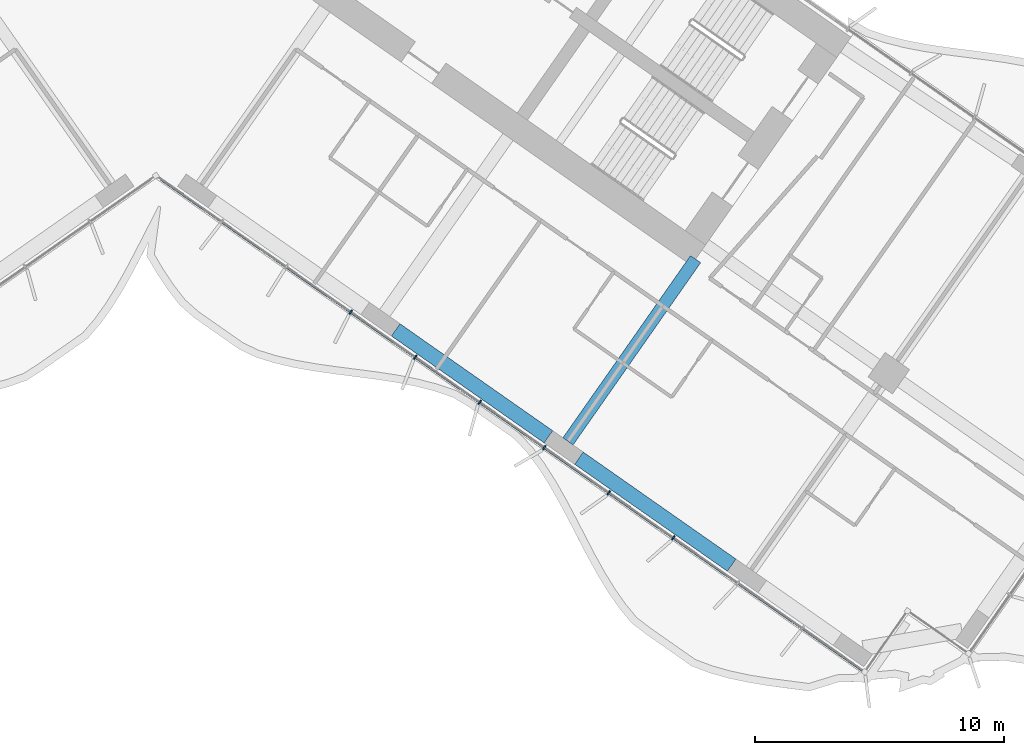
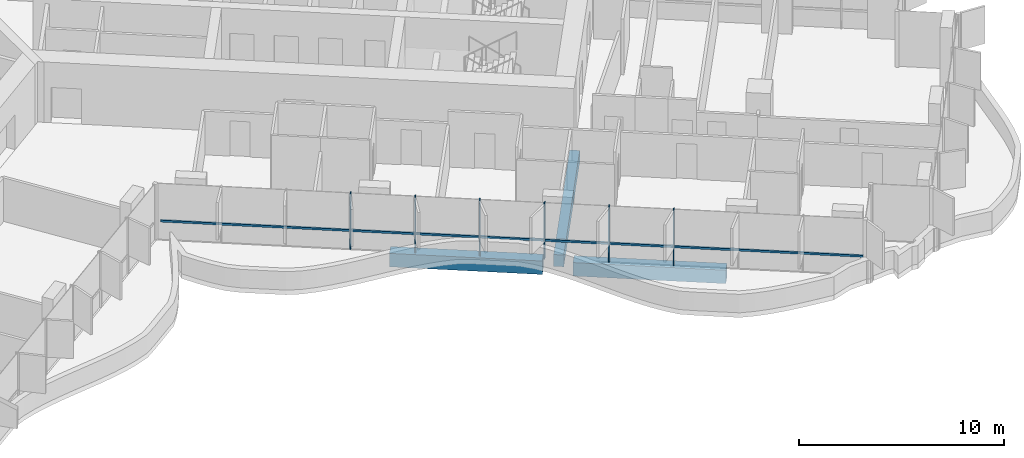
# One storey, part 5 of 23: 7 members, 3 beams, 1 element without a shape of its own.
"""IFC4 building model written with IfcOpenShell, lengths in metres."""

from ifc_helpers import new_model, si_unit, direction, frame, origin, origin_2d, place, context, subcontext, project, spatial, rectangle, extrude, material, material_profile, profile_set, type_object, element, aggregate, save


model = new_model("IFC4")

# Units and contexts
model_context = context("Model", 3, precision=1e-05, world=origin(), true_north=direction((0.0, 1.0)))
body_context = subcontext(model_context, "Body", "Model", "MODEL_VIEW")
ifc_project = project(units=[si_unit("LENGTHUNIT", "METRE"), si_unit("AREAUNIT", "SQUARE_METRE"), si_unit("VOLUMEUNIT", "CUBIC_METRE"), si_unit("PLANEANGLEUNIT", "RADIAN"), si_unit("MASSUNIT", "GRAM", prefix="KILO")], contexts=[model_context])

# Site, building, storey
site_placement = place(None, origin())
site = spatial("IfcSite", under=ifc_project, at=site_placement, CompositionType="ELEMENT")
building_placement = place(site_placement, origin())
building = spatial("IfcBuilding", under=site, at=building_placement, Name="Tel Ilan Convention Tower", CompositionType="ELEMENT")
storey_placement = place(building_placement, frame((0.0, 0.0, 104.89990234375)))
storey = spatial("IfcBuildingStorey", under=building, at=storey_placement, Name="L22", CompositionType="ELEMENT", Elevation=104.89990234375)

# Beams
ifc_material_1 = material(Name="Concrete C40/50", Category="concrete")
ifc_material_profile_1 = material_profile(ifc_material_1, rectangle(XDim=0.5, YDim=0.699951171875, at=origin_2d()), Name="RC 500x700")
ifc_profile_set_1 = profile_set([ifc_material_profile_1], Name="Concrete C40/50")
beam_type_1 = type_object("IfcBeamType", Name="Beam RC 500x700 Concrete C40/50", PredefinedType="BEAM", material=ifc_profile_set_1)
beam_placement = place(storey_placement, frame((16.58203125, -23.391357421875, -0.6298828125), z_axis=(0.573584999642, 0.819146048141, 0.0), x_axis=(-0.819146048141, 0.573584999642, 0.0)))
element("IfcBeam", 1, at=beam_placement, inside=storey, type_object=beam_type_1, Name="L22 beam E-E-F3-core", PredefinedType="BEAM", context=body_context, shape_type="SweptSolid", body=[
    extrude(rectangle(XDim=0.5, YDim=0.699951171875, at=origin_2d()), origin(), (0.0, 0.0, 1.0), 8.949951171875),
])
ifc_material_2 = material(Name="Concrete C40/50", Category="concrete")
ifc_material_profile_2 = material_profile(ifc_material_2, rectangle(XDim=0.60009765625, YDim=0.800048828125, at=origin_2d()), Name="RC 600x800")
ifc_profile_set_2 = profile_set([ifc_material_profile_2], Name="Concrete C40/50")
beam_type_2 = type_object("IfcBeamType", Name="Beam RC 600x800 Concrete C40/50", PredefinedType="BEAM", material=ifc_profile_set_2)
for number, where, z_axis, x_axis, name in (
    (2, (9.652099609375, -18.905029296875, -0.679931640625), (0.81915238829, -0.573575945067, 0.0), (0.573575945067, 0.81915238829, 0.0), "L22 beam E-E-F2-E-F3"),
    (3, (17.0244140625, -24.0673828125, -0.679931640625), (0.81915238829, -0.573575945067, 0.0), (0.573575945067, 0.81915238829, 0.0), "L22 beam E-E-F3-E-F4"),
):
    element("IfcBeam", number, at=place(storey_placement, frame(where, z_axis=z_axis, x_axis=x_axis)), inside=storey, type_object=beam_type_2, Name=name, PredefinedType="BEAM", context=body_context, shape_type="SweptSolid", body=[
        extrude(rectangle(XDim=0.60009765625, YDim=0.800048828125, at=origin_2d()), origin(), (0.0, 0.0, 1.0), 7.5),
    ])

# Curtain wall, members
ifc_material_3 = material(Name="Aluminium, bronze anodised", Category="aluminium")
curtain_wall_type = type_object("IfcCurtainWallType", Name="CW1 UNITISED CURTAIN WALL, HOTEL TINTED GLASS", PredefinedType="NOTDEFINED", material=ifc_material_3)
curtain_wall_placement = place(storey_placement, origin())
curtain_wall = element("IfcCurtainWall", 4, at=curtain_wall_placement, inside=storey, type_object=curtain_wall_type, Name="Curtain wall CW1-19.02", PredefinedType="NOTDEFINED")
ifc_material_4 = material(Name="Aluminium, bronze anodised", Category="aluminium")
ifc_material_profile_3 = material_profile(ifc_material_4, rectangle(XDim=0.06005859375, YDim=0.199951171875, at=origin_2d()), Name="CW MULLION 60x200")
ifc_profile_set_3 = profile_set([ifc_material_profile_3], Name="Aluminium, bronze anodised")
member_type_1 = type_object("IfcMemberType", Name="CW MULLION 60x200", PredefinedType="MULLION", material=ifc_profile_set_3)
member_1_placement = place(storey_placement, frame((7.842529296875, -18.1875, 0.0), z_axis=(0.0, 0.0, 1.0), x_axis=(0.819152044289, -0.573576436351, 0.0)))
member_1 = element("IfcMember", 5, at=member_1_placement, type_object=member_type_1, Name="Mullion", PredefinedType="MULLION", context=body_context, shape_type="SweptSolid", body=[
    extrude(rectangle(XDim=0.06005859375, YDim=0.199951171875, at=origin_2d()), origin(), (0.0, 0.0, 1.0), 3.320068359375),
])
member_2_placement = place(storey_placement, frame((10.4375, -20.004638671875, 0.0), z_axis=(0.0, 0.0, 1.0), x_axis=(0.819152044289, -0.573576436351, 0.0)))
member_2 = element("IfcMember", 6, at=member_2_placement, type_object=member_type_1, Name="Mullion", PredefinedType="MULLION", context=body_context, shape_type="SweptSolid", body=[
    extrude(rectangle(XDim=0.06005859375, YDim=0.199951171875, at=origin_2d()), origin(), (0.0, 0.0, 1.0), 3.320068359375),
])
member_3_placement = place(storey_placement, frame((13.03271484375, -21.821533203125, 0.0), z_axis=(0.0, 0.0, 1.0), x_axis=(0.819152044289, -0.573576436351, 0.0)))
member_3 = element("IfcMember", 7, at=member_3_placement, type_object=member_type_1, Name="Mullion", PredefinedType="MULLION", context=body_context, shape_type="SweptSolid", body=[
    extrude(rectangle(XDim=0.06005859375, YDim=0.199951171875, at=origin_2d()), origin(), (0.0, 0.0, 1.0), 3.320068359375),
])
member_4_placement = place(storey_placement, frame((15.627685546875, -23.638671875, 0.0), z_axis=(0.0, 0.0, 1.0), x_axis=(0.819152044289, -0.573576436351, 0.0)))
member_4 = element("IfcMember", 8, at=member_4_placement, type_object=member_type_1, Name="Mullion", PredefinedType="MULLION", context=body_context, shape_type="SweptSolid", body=[
    extrude(rectangle(XDim=0.06005859375, YDim=0.199951171875, at=origin_2d()), origin(), (0.0, 0.0, 1.0), 3.320068359375),
])
member_5_placement = place(storey_placement, frame((18.222900390625, -25.455810546875, 0.0), z_axis=(0.0, 0.0, 1.0), x_axis=(0.819152044289, -0.573576436351, 0.0)))
member_5 = element("IfcMember", 9, at=member_5_placement, type_object=member_type_1, Name="Mullion", PredefinedType="MULLION", context=body_context, shape_type="SweptSolid", body=[
    extrude(rectangle(XDim=0.06005859375, YDim=0.199951171875, at=origin_2d()), origin(), (0.0, 0.0, 1.0), 3.320068359375),
])
member_6_placement = place(storey_placement, frame((20.81787109375, -27.27294921875, 0.0), z_axis=(0.0, 0.0, 1.0), x_axis=(0.819152044289, -0.573576436351, 0.0)))
member_6 = element("IfcMember", 10, at=member_6_placement, type_object=member_type_1, Name="Mullion", PredefinedType="MULLION", context=body_context, shape_type="SweptSolid", body=[
    extrude(rectangle(XDim=0.06005859375, YDim=0.199951171875, at=origin_2d()), origin(), (0.0, 0.0, 1.0), 3.320068359375),
])
ifc_material_5 = material(Name="Aluminium, bronze anodised", Category="aluminium")
ifc_material_profile_4 = material_profile(ifc_material_5, rectangle(XDim=0.10009765625, YDim=0.1201171875, at=origin_2d()), Name="CW TRANSOM 100x120")
ifc_profile_set_4 = profile_set([ifc_material_profile_4], Name="Aluminium, bronze anodised")
member_type_2 = type_object("IfcMemberType", Name="CW TRANSOM 100x120", PredefinedType="USERDEFINED", material=ifc_profile_set_4)
member_7_placement = place(storey_placement, frame((0.22119140625, -12.850830078125, 1.10009765625), z_axis=(0.819151003602, -0.573577922604, 0.0), x_axis=(0.573577922604, 0.819151003602, 0.0)))
member_7 = element("IfcMember", 11, at=member_7_placement, type_object=member_type_2, Name="Transom", ObjectType="TRANSOM", PredefinedType="USERDEFINED", context=body_context, shape_type="SweptSolid", body=[
    extrude(rectangle(XDim=0.10009765625, YDim=0.1201171875, at=origin_2d()), origin(), (0.0, 0.0, 1.0), 34.447998046875),
])
aggregate(curtain_wall, [member_1, member_2, member_3, member_4, member_5, member_6, member_7])

save(model, "model.ifc")
